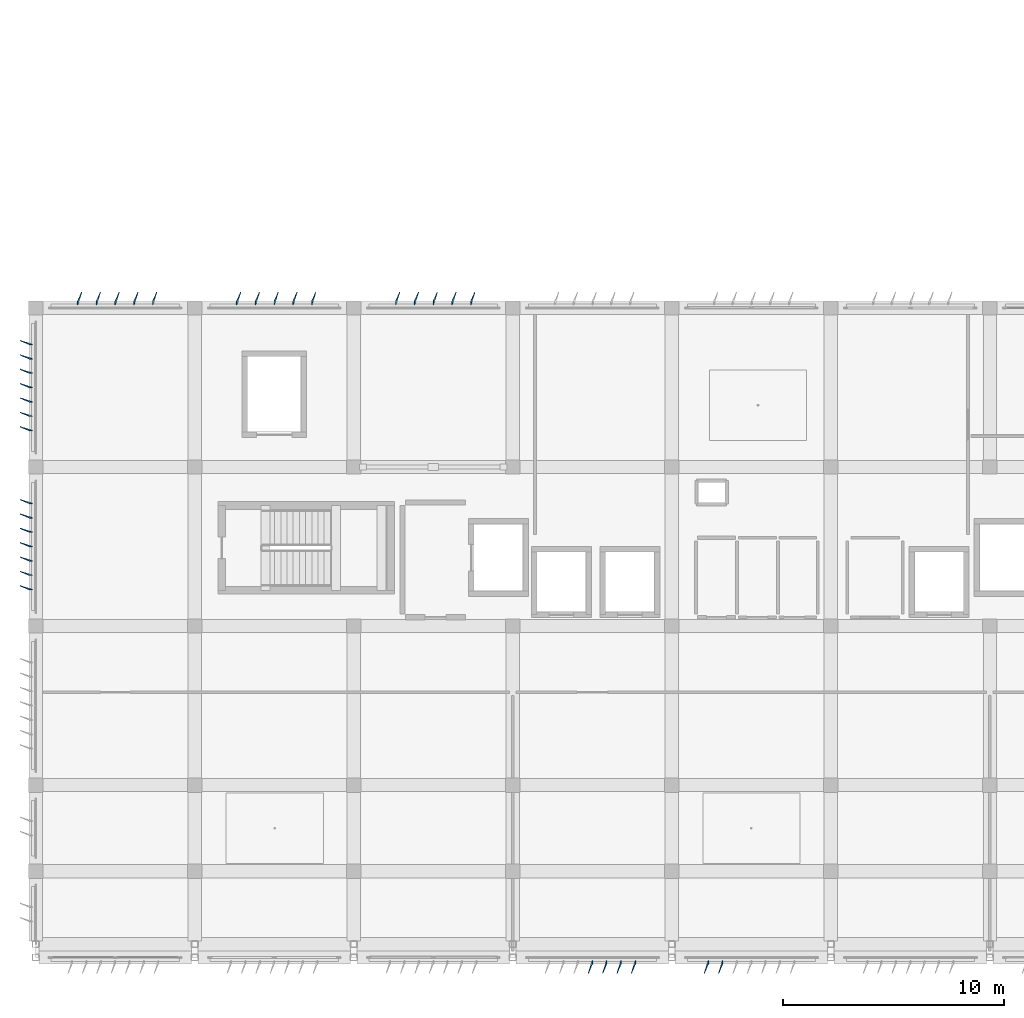
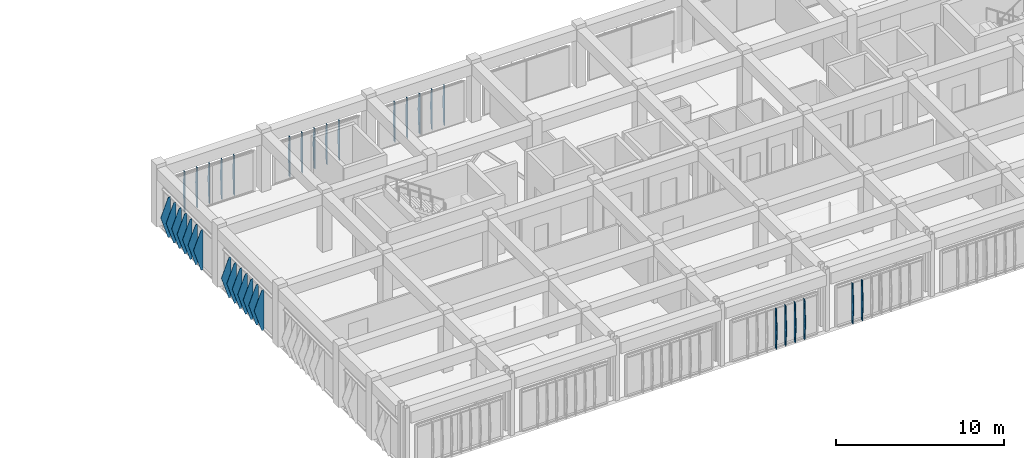
# One storey, part 51 of 56: 35 plates.
"""IFC4 building model written with IfcOpenShell, lengths in metres."""

from ifc_helpers import new_model, si_unit, direction, frame, origin, place, context, subcontext, project, spatial, polygons, material, layer, layer_set, type_object, element, save


model = new_model("IFC4")

# Units and contexts
model_context = context("Model", 3, precision=1e-05, world=origin(), true_north=direction((0.0, 1.0)))
body_context = subcontext(model_context, "Body", "Model", "MODEL_VIEW")
ifc_project = project(units=[si_unit("LENGTHUNIT", "METRE"), si_unit("AREAUNIT", "SQUARE_METRE"), si_unit("VOLUMEUNIT", "CUBIC_METRE"), si_unit("PLANEANGLEUNIT", "RADIAN"), si_unit("MASSUNIT", "GRAM", prefix="KILO")], contexts=[model_context])

# Site, building, storey
site_placement = place(None, origin())
site = spatial("IfcSite", under=ifc_project, at=site_placement, CompositionType="ELEMENT")
building_placement = place(site_placement, origin())
building = spatial("IfcBuilding", under=site, at=building_placement, Name="Kazehaya Institute of Natural Sciences", CompositionType="ELEMENT")
storey_placement = place(building_placement, frame((0.0, 0.0, 28.800048828125)))
storey = spatial("IfcBuildingStorey", under=building, at=storey_placement, Name="L06", CompositionType="ELEMENT", Elevation=28.800048828125)

# Plates
ifc_material = material(Name="Bronze-anodised aluminium alloy A6063S-T5", Category="aluminium")
ifc_layer_1 = layer(ifc_material, 0.02001953125, Name="Bronze-anodised aluminium alloy A6063S-T5", Category="aluminium")
ifc_layer_set_1 = layer_set([ifc_layer_1], Name="Bronze-anodised aluminium alloy A6063S-T5")
plate_type_1 = type_object("IfcPlateType", Name="FIN-DF-E1", PredefinedType="USERDEFINED", material=ifc_layer_set_1)
plate_1_placement = place(storey_placement, origin())
element("IfcPlate", 1, at=plate_1_placement, inside=storey, type_object=plate_type_1, Name="L06 folded diamond-pyramid shading fin FIN-L06-W-0516", ObjectType="SHADING_FIN", PredefinedType="USERDEFINED", context=body_context, shape_type="Tessellation", body=[
    polygons([(54.445068359375, 22.840087890625, 0.0400390625), (54.300048828125, 22.840087890625, 0.0400390625), (53.889892578125, 23.018798828125, 1.5), (54.300048828125, 22.840087890625, 2.9599609375), (54.445068359375, 22.840087890625, 2.9599609375), (54.445068359375, 22.860107421875, 0.0400390625), (54.300048828125, 22.860107421875, 0.0400390625), (53.889892578125, 23.038818359375, 1.5), (54.300048828125, 22.860107421875, 2.9599609375), (54.445068359375, 22.860107421875, 2.9599609375)], [[[1, 5, 4, 3, 2]], [[6, 7, 8, 9, 10]], [[1, 2, 7, 6]], [[2, 3, 8, 7]], [[3, 4, 9, 8]], [[4, 5, 10, 9]], [[5, 1, 6, 10]]], closed=True),
])
plate_2_placement = place(storey_placement, origin())
element("IfcPlate", 2, at=plate_2_placement, inside=storey, type_object=plate_type_1, Name="L06 folded diamond-pyramid shading fin FIN-L06-W-0517", ObjectType="SHADING_FIN", PredefinedType="USERDEFINED", context=body_context, shape_type="Tessellation", body=[
    polygons([(54.445068359375, 23.489990234375, 0.0400390625), (54.300048828125, 23.489990234375, 0.0400390625), (53.889892578125, 23.668701171875, 1.5), (54.300048828125, 23.489990234375, 2.9599609375), (54.445068359375, 23.489990234375, 2.9599609375), (54.445068359375, 23.510009765625, 0.0400390625), (54.300048828125, 23.510009765625, 0.0400390625), (53.889892578125, 23.688720703125, 1.5), (54.300048828125, 23.510009765625, 2.9599609375), (54.445068359375, 23.510009765625, 2.9599609375)], [[[1, 5, 4, 3, 2]], [[6, 7, 8, 9, 10]], [[1, 2, 7, 6]], [[2, 3, 8, 7]], [[3, 4, 9, 8]], [[4, 5, 10, 9]], [[5, 1, 6, 10]]], closed=True),
])
plate_3_placement = place(storey_placement, origin())
element("IfcPlate", 3, at=plate_3_placement, inside=storey, type_object=plate_type_1, Name="L06 folded diamond-pyramid shading fin FIN-L06-W-0518", ObjectType="SHADING_FIN", PredefinedType="USERDEFINED", context=body_context, shape_type="Tessellation", body=[
    polygons([(54.445068359375, 24.139892578125, 0.0400390625), (54.300048828125, 24.139892578125, 0.0400390625), (53.889892578125, 24.318603515625, 1.5), (54.300048828125, 24.139892578125, 2.9599609375), (54.445068359375, 24.139892578125, 2.9599609375), (54.445068359375, 24.159912109375, 0.0400390625), (54.300048828125, 24.159912109375, 0.0400390625), (53.889892578125, 24.338623046875, 1.5), (54.300048828125, 24.159912109375, 2.9599609375), (54.445068359375, 24.159912109375, 2.9599609375)], [[[1, 5, 4, 3, 2]], [[6, 7, 8, 9, 10]], [[1, 2, 7, 6]], [[2, 3, 8, 7]], [[3, 4, 9, 8]], [[4, 5, 10, 9]], [[5, 1, 6, 10]]], closed=True),
])
plate_4_placement = place(storey_placement, origin())
element("IfcPlate", 4, at=plate_4_placement, inside=storey, type_object=plate_type_1, Name="L06 folded diamond-pyramid shading fin FIN-L06-W-0519", ObjectType="SHADING_FIN", PredefinedType="USERDEFINED", context=body_context, shape_type="Tessellation", body=[
    polygons([(54.445068359375, 24.7900390625, 0.0400390625), (54.300048828125, 24.7900390625, 0.0400390625), (53.889892578125, 24.96875, 1.5), (54.300048828125, 24.7900390625, 2.9599609375), (54.445068359375, 24.7900390625, 2.9599609375), (54.445068359375, 24.81005859375, 0.0400390625), (54.300048828125, 24.81005859375, 0.0400390625), (53.889892578125, 24.98876953125, 1.5), (54.300048828125, 24.81005859375, 2.9599609375), (54.445068359375, 24.81005859375, 2.9599609375)], [[[1, 5, 4, 3, 2]], [[6, 7, 8, 9, 10]], [[1, 2, 7, 6]], [[2, 3, 8, 7]], [[3, 4, 9, 8]], [[4, 5, 10, 9]], [[5, 1, 6, 10]]], closed=True),
])
plate_5_placement = place(storey_placement, origin())
element("IfcPlate", 5, at=plate_5_placement, inside=storey, type_object=plate_type_1, Name="L06 folded diamond-pyramid shading fin FIN-L06-W-0520", ObjectType="SHADING_FIN", PredefinedType="USERDEFINED", context=body_context, shape_type="Tessellation", body=[
    polygons([(54.445068359375, 25.43994140625, 0.0400390625), (54.300048828125, 25.43994140625, 0.0400390625), (53.889892578125, 25.61865234375, 1.5), (54.300048828125, 25.43994140625, 2.9599609375), (54.445068359375, 25.43994140625, 2.9599609375), (54.445068359375, 25.4599609375, 0.0400390625), (54.300048828125, 25.4599609375, 0.0400390625), (53.889892578125, 25.638671875, 1.5), (54.300048828125, 25.4599609375, 2.9599609375), (54.445068359375, 25.4599609375, 2.9599609375)], [[[1, 5, 4, 3, 2]], [[6, 7, 8, 9, 10]], [[1, 2, 7, 6]], [[2, 3, 8, 7]], [[3, 4, 9, 8]], [[4, 5, 10, 9]], [[5, 1, 6, 10]]], closed=True),
])
plate_6_placement = place(storey_placement, origin())
element("IfcPlate", 6, at=plate_6_placement, inside=storey, type_object=plate_type_1, Name="L06 folded diamond-pyramid shading fin FIN-L06-W-0521", ObjectType="SHADING_FIN", PredefinedType="USERDEFINED", context=body_context, shape_type="Tessellation", body=[
    polygons([(54.445068359375, 26.090087890625, 0.0400390625), (54.300048828125, 26.090087890625, 0.0400390625), (53.889892578125, 26.268798828125, 1.5), (54.300048828125, 26.090087890625, 2.9599609375), (54.445068359375, 26.090087890625, 2.9599609375), (54.445068359375, 26.110107421875, 0.0400390625), (54.300048828125, 26.110107421875, 0.0400390625), (53.889892578125, 26.288818359375, 1.5), (54.300048828125, 26.110107421875, 2.9599609375), (54.445068359375, 26.110107421875, 2.9599609375)], [[[1, 5, 4, 3, 2]], [[6, 7, 8, 9, 10]], [[1, 2, 7, 6]], [[2, 3, 8, 7]], [[3, 4, 9, 8]], [[4, 5, 10, 9]], [[5, 1, 6, 10]]], closed=True),
])
plate_7_placement = place(storey_placement, origin())
element("IfcPlate", 7, at=plate_7_placement, inside=storey, type_object=plate_type_1, Name="L06 folded diamond-pyramid shading fin FIN-L06-W-0522", ObjectType="SHADING_FIN", PredefinedType="USERDEFINED", context=body_context, shape_type="Tessellation", body=[
    polygons([(54.445068359375, 26.739990234375, 0.0400390625), (54.300048828125, 26.739990234375, 0.0400390625), (53.889892578125, 26.918701171875, 1.5), (54.300048828125, 26.739990234375, 2.9599609375), (54.445068359375, 26.739990234375, 2.9599609375), (54.445068359375, 26.760009765625, 0.0400390625), (54.300048828125, 26.760009765625, 0.0400390625), (53.889892578125, 26.938720703125, 1.5), (54.300048828125, 26.760009765625, 2.9599609375), (54.445068359375, 26.760009765625, 2.9599609375)], [[[1, 5, 4, 3, 2]], [[6, 7, 8, 9, 10]], [[1, 2, 7, 6]], [[2, 3, 8, 7]], [[3, 4, 9, 8]], [[4, 5, 10, 9]], [[5, 1, 6, 10]]], closed=True),
])
plate_8_placement = place(storey_placement, origin())
element("IfcPlate", 8, at=plate_8_placement, inside=storey, type_object=plate_type_1, Name="L06 folded diamond-pyramid shading fin FIN-L06-W-0530", ObjectType="SHADING_FIN", PredefinedType="USERDEFINED", context=body_context, shape_type="Tessellation", body=[
    polygons([(54.445068359375, 30.0400390625, 0.0400390625), (54.300048828125, 30.0400390625, 0.0400390625), (53.889892578125, 30.21875, 1.5), (54.300048828125, 30.0400390625, 2.9599609375), (54.445068359375, 30.0400390625, 2.9599609375), (54.445068359375, 30.06005859375, 0.0400390625), (54.300048828125, 30.06005859375, 0.0400390625), (53.889892578125, 30.23876953125, 1.5), (54.300048828125, 30.06005859375, 2.9599609375), (54.445068359375, 30.06005859375, 2.9599609375)], [[[1, 5, 4, 3, 2]], [[6, 7, 8, 9, 10]], [[1, 2, 7, 6]], [[2, 3, 8, 7]], [[3, 4, 9, 8]], [[4, 5, 10, 9]], [[5, 1, 6, 10]]], closed=True),
])
plate_9_placement = place(storey_placement, origin())
element("IfcPlate", 9, at=plate_9_placement, inside=storey, type_object=plate_type_1, Name="L06 folded diamond-pyramid shading fin FIN-L06-W-0531", ObjectType="SHADING_FIN", PredefinedType="USERDEFINED", context=body_context, shape_type="Tessellation", body=[
    polygons([(54.445068359375, 30.68994140625, 0.0400390625), (54.300048828125, 30.68994140625, 0.0400390625), (53.889892578125, 30.86865234375, 1.5), (54.300048828125, 30.68994140625, 2.9599609375), (54.445068359375, 30.68994140625, 2.9599609375), (54.445068359375, 30.7099609375, 0.0400390625), (54.300048828125, 30.7099609375, 0.0400390625), (53.889892578125, 30.888671875, 1.5), (54.300048828125, 30.7099609375, 2.9599609375), (54.445068359375, 30.7099609375, 2.9599609375)], [[[1, 5, 4, 3, 2]], [[6, 7, 8, 9, 10]], [[1, 2, 7, 6]], [[2, 3, 8, 7]], [[3, 4, 9, 8]], [[4, 5, 10, 9]], [[5, 1, 6, 10]]], closed=True),
])
plate_10_placement = place(storey_placement, origin())
element("IfcPlate", 10, at=plate_10_placement, inside=storey, type_object=plate_type_1, Name="L06 folded diamond-pyramid shading fin FIN-L06-W-0532", ObjectType="SHADING_FIN", PredefinedType="USERDEFINED", context=body_context, shape_type="Tessellation", body=[
    polygons([(54.445068359375, 31.340087890625, 0.0400390625), (54.300048828125, 31.340087890625, 0.0400390625), (53.889892578125, 31.518798828125, 1.5), (54.300048828125, 31.340087890625, 2.9599609375), (54.445068359375, 31.340087890625, 2.9599609375), (54.445068359375, 31.360107421875, 0.0400390625), (54.300048828125, 31.360107421875, 0.0400390625), (53.889892578125, 31.538818359375, 1.5), (54.300048828125, 31.360107421875, 2.9599609375), (54.445068359375, 31.360107421875, 2.9599609375)], [[[1, 5, 4, 3, 2]], [[6, 7, 8, 9, 10]], [[1, 2, 7, 6]], [[2, 3, 8, 7]], [[3, 4, 9, 8]], [[4, 5, 10, 9]], [[5, 1, 6, 10]]], closed=True),
])
plate_11_placement = place(storey_placement, origin())
element("IfcPlate", 11, at=plate_11_placement, inside=storey, type_object=plate_type_1, Name="L06 folded diamond-pyramid shading fin FIN-L06-W-0533", ObjectType="SHADING_FIN", PredefinedType="USERDEFINED", context=body_context, shape_type="Tessellation", body=[
    polygons([(54.445068359375, 31.989990234375, 0.0400390625), (54.300048828125, 31.989990234375, 0.0400390625), (53.889892578125, 32.168701171875, 1.5), (54.300048828125, 31.989990234375, 2.9599609375), (54.445068359375, 31.989990234375, 2.9599609375), (54.445068359375, 32.010009765625, 0.0400390625), (54.300048828125, 32.010009765625, 0.0400390625), (53.889892578125, 32.188720703125, 1.5), (54.300048828125, 32.010009765625, 2.9599609375), (54.445068359375, 32.010009765625, 2.9599609375)], [[[1, 5, 4, 3, 2]], [[6, 7, 8, 9, 10]], [[1, 2, 7, 6]], [[2, 3, 8, 7]], [[3, 4, 9, 8]], [[4, 5, 10, 9]], [[5, 1, 6, 10]]], closed=True),
])
plate_12_placement = place(storey_placement, origin())
element("IfcPlate", 12, at=plate_12_placement, inside=storey, type_object=plate_type_1, Name="L06 folded diamond-pyramid shading fin FIN-L06-W-0534", ObjectType="SHADING_FIN", PredefinedType="USERDEFINED", context=body_context, shape_type="Tessellation", body=[
    polygons([(54.445068359375, 32.639892578125, 0.0400390625), (54.300048828125, 32.639892578125, 0.0400390625), (53.889892578125, 32.818603515625, 1.5), (54.300048828125, 32.639892578125, 2.9599609375), (54.445068359375, 32.639892578125, 2.9599609375), (54.445068359375, 32.659912109375, 0.0400390625), (54.300048828125, 32.659912109375, 0.0400390625), (53.889892578125, 32.838623046875, 1.5), (54.300048828125, 32.659912109375, 2.9599609375), (54.445068359375, 32.659912109375, 2.9599609375)], [[[1, 5, 4, 3, 2]], [[6, 7, 8, 9, 10]], [[1, 2, 7, 6]], [[2, 3, 8, 7]], [[3, 4, 9, 8]], [[4, 5, 10, 9]], [[5, 1, 6, 10]]], closed=True),
])
plate_13_placement = place(storey_placement, origin())
element("IfcPlate", 13, at=plate_13_placement, inside=storey, type_object=plate_type_1, Name="L06 folded diamond-pyramid shading fin FIN-L06-W-0535", ObjectType="SHADING_FIN", PredefinedType="USERDEFINED", context=body_context, shape_type="Tessellation", body=[
    polygons([(54.445068359375, 33.2900390625, 0.0400390625), (54.300048828125, 33.2900390625, 0.0400390625), (53.889892578125, 33.46875, 1.5), (54.300048828125, 33.2900390625, 2.9599609375), (54.445068359375, 33.2900390625, 2.9599609375), (54.445068359375, 33.31005859375, 0.0400390625), (54.300048828125, 33.31005859375, 0.0400390625), (53.889892578125, 33.48876953125, 1.5), (54.300048828125, 33.31005859375, 2.9599609375), (54.445068359375, 33.31005859375, 2.9599609375)], [[[1, 5, 4, 3, 2]], [[6, 7, 8, 9, 10]], [[1, 2, 7, 6]], [[2, 3, 8, 7]], [[3, 4, 9, 8]], [[4, 5, 10, 9]], [[5, 1, 6, 10]]], closed=True),
])
plate_14_placement = place(storey_placement, origin())
element("IfcPlate", 14, at=plate_14_placement, inside=storey, type_object=plate_type_1, Name="L06 folded diamond-pyramid shading fin FIN-L06-W-0536", ObjectType="SHADING_FIN", PredefinedType="USERDEFINED", context=body_context, shape_type="Tessellation", body=[
    polygons([(54.445068359375, 33.93994140625, 0.0400390625), (54.300048828125, 33.93994140625, 0.0400390625), (53.889892578125, 34.11865234375, 1.5), (54.300048828125, 33.93994140625, 2.9599609375), (54.445068359375, 33.93994140625, 2.9599609375), (54.445068359375, 33.9599609375, 0.0400390625), (54.300048828125, 33.9599609375, 0.0400390625), (53.889892578125, 34.138671875, 1.5), (54.300048828125, 33.9599609375, 2.9599609375), (54.445068359375, 33.9599609375, 2.9599609375)], [[[1, 5, 4, 3, 2]], [[6, 7, 8, 9, 10]], [[1, 2, 7, 6]], [[2, 3, 8, 7]], [[3, 4, 9, 8]], [[4, 5, 10, 9]], [[5, 1, 6, 10]]], closed=True),
])
ifc_layer_2 = layer(ifc_material, 0.02001953125, Name="Bronze-anodised aluminium alloy A6063S-T5", Category="aluminium")
ifc_layer_set_2 = layer_set([ifc_layer_2], Name="Bronze-anodised aluminium alloy A6063S-T5")
plate_type_2 = type_object("IfcPlateType", Name="FIN-DF-N1", PredefinedType="USERDEFINED", material=ifc_layer_set_2)
plate_15_placement = place(storey_placement, origin())
element("IfcPlate", 15, at=plate_15_placement, inside=storey, type_object=plate_type_2, Name="L06 folded diamond-pyramid shading fin FIN-L06-N-0449", ObjectType="SHADING_FIN", PredefinedType="USERDEFINED", context=body_context, shape_type="Tessellation", body=[
    polygons([(56.489990234375, 35.7548828125, 0.0400390625), (56.489990234375, 35.89990234375, 0.0400390625), (56.668701171875, 36.31005859375, 1.5), (56.489990234375, 35.89990234375, 2.9599609375), (56.489990234375, 35.7548828125, 2.9599609375), (56.510009765625, 35.7548828125, 0.0400390625), (56.510009765625, 35.89990234375, 0.0400390625), (56.688720703125, 36.31005859375, 1.5), (56.510009765625, 35.89990234375, 2.9599609375), (56.510009765625, 35.7548828125, 2.9599609375)], [[[1, 5, 4, 3, 2]], [[6, 7, 8, 9, 10]], [[1, 2, 7, 6]], [[2, 3, 8, 7]], [[3, 4, 9, 8]], [[4, 5, 10, 9]], [[5, 1, 6, 10]]], closed=True),
])
plate_16_placement = place(storey_placement, origin())
element("IfcPlate", 16, at=plate_16_placement, inside=storey, type_object=plate_type_2, Name="L06 folded diamond-pyramid shading fin FIN-L06-N-0450", ObjectType="SHADING_FIN", PredefinedType="USERDEFINED", context=body_context, shape_type="Tessellation", body=[
    polygons([(57.340087890625, 35.7548828125, 0.0400390625), (57.340087890625, 35.89990234375, 0.0400390625), (57.518798828125, 36.31005859375, 1.5), (57.340087890625, 35.89990234375, 2.9599609375), (57.340087890625, 35.7548828125, 2.9599609375), (57.360107421875, 35.7548828125, 0.0400390625), (57.360107421875, 35.89990234375, 0.0400390625), (57.538818359375, 36.31005859375, 1.5), (57.360107421875, 35.89990234375, 2.9599609375), (57.360107421875, 35.7548828125, 2.9599609375)], [[[1, 5, 4, 3, 2]], [[6, 7, 8, 9, 10]], [[1, 2, 7, 6]], [[2, 3, 8, 7]], [[3, 4, 9, 8]], [[4, 5, 10, 9]], [[5, 1, 6, 10]]], closed=True),
])
plate_17_placement = place(storey_placement, origin())
element("IfcPlate", 17, at=plate_17_placement, inside=storey, type_object=plate_type_2, Name="L06 folded diamond-pyramid shading fin FIN-L06-N-0451", ObjectType="SHADING_FIN", PredefinedType="USERDEFINED", context=body_context, shape_type="Tessellation", body=[
    polygons([(58.18994140625, 35.7548828125, 0.0400390625), (58.18994140625, 35.89990234375, 0.0400390625), (58.36865234375, 36.31005859375, 1.5), (58.18994140625, 35.89990234375, 2.9599609375), (58.18994140625, 35.7548828125, 2.9599609375), (58.2099609375, 35.7548828125, 0.0400390625), (58.2099609375, 35.89990234375, 0.0400390625), (58.388671875, 36.31005859375, 1.5), (58.2099609375, 35.89990234375, 2.9599609375), (58.2099609375, 35.7548828125, 2.9599609375)], [[[1, 5, 4, 3, 2]], [[6, 7, 8, 9, 10]], [[1, 2, 7, 6]], [[2, 3, 8, 7]], [[3, 4, 9, 8]], [[4, 5, 10, 9]], [[5, 1, 6, 10]]], closed=True),
])
plate_18_placement = place(storey_placement, origin())
element("IfcPlate", 18, at=plate_18_placement, inside=storey, type_object=plate_type_2, Name="L06 folded diamond-pyramid shading fin FIN-L06-N-0452", ObjectType="SHADING_FIN", PredefinedType="USERDEFINED", context=body_context, shape_type="Tessellation", body=[
    polygons([(59.0400390625, 35.7548828125, 0.0400390625), (59.0400390625, 35.89990234375, 0.0400390625), (59.21875, 36.31005859375, 1.5), (59.0400390625, 35.89990234375, 2.9599609375), (59.0400390625, 35.7548828125, 2.9599609375), (59.06005859375, 35.7548828125, 0.0400390625), (59.06005859375, 35.89990234375, 0.0400390625), (59.23876953125, 36.31005859375, 1.5), (59.06005859375, 35.89990234375, 2.9599609375), (59.06005859375, 35.7548828125, 2.9599609375)], [[[1, 5, 4, 3, 2]], [[6, 7, 8, 9, 10]], [[1, 2, 7, 6]], [[2, 3, 8, 7]], [[3, 4, 9, 8]], [[4, 5, 10, 9]], [[5, 1, 6, 10]]], closed=True),
])
plate_19_placement = place(storey_placement, origin())
element("IfcPlate", 19, at=plate_19_placement, inside=storey, type_object=plate_type_2, Name="L06 folded diamond-pyramid shading fin FIN-L06-N-0453", ObjectType="SHADING_FIN", PredefinedType="USERDEFINED", context=body_context, shape_type="Tessellation", body=[
    polygons([(59.889892578125, 35.7548828125, 0.0400390625), (59.889892578125, 35.89990234375, 0.0400390625), (60.068603515625, 36.31005859375, 1.5), (59.889892578125, 35.89990234375, 2.9599609375), (59.889892578125, 35.7548828125, 2.9599609375), (59.909912109375, 35.7548828125, 0.0400390625), (59.909912109375, 35.89990234375, 0.0400390625), (60.088623046875, 36.31005859375, 1.5), (59.909912109375, 35.89990234375, 2.9599609375), (59.909912109375, 35.7548828125, 2.9599609375)], [[[1, 5, 4, 3, 2]], [[6, 7, 8, 9, 10]], [[1, 2, 7, 6]], [[2, 3, 8, 7]], [[3, 4, 9, 8]], [[4, 5, 10, 9]], [[5, 1, 6, 10]]], closed=True),
])
plate_20_placement = place(storey_placement, origin())
element("IfcPlate", 20, at=plate_20_placement, inside=storey, type_object=plate_type_2, Name="L06 folded diamond-pyramid shading fin FIN-L06-N-0454", ObjectType="SHADING_FIN", PredefinedType="USERDEFINED", context=body_context, shape_type="Tessellation", body=[
    polygons([(63.68994140625, 35.7548828125, 0.0400390625), (63.68994140625, 35.89990234375, 0.0400390625), (63.86865234375, 36.31005859375, 1.5), (63.68994140625, 35.89990234375, 2.9599609375), (63.68994140625, 35.7548828125, 2.9599609375), (63.7099609375, 35.7548828125, 0.0400390625), (63.7099609375, 35.89990234375, 0.0400390625), (63.888671875, 36.31005859375, 1.5), (63.7099609375, 35.89990234375, 2.9599609375), (63.7099609375, 35.7548828125, 2.9599609375)], [[[1, 5, 4, 3, 2]], [[6, 7, 8, 9, 10]], [[1, 2, 7, 6]], [[2, 3, 8, 7]], [[3, 4, 9, 8]], [[4, 5, 10, 9]], [[5, 1, 6, 10]]], closed=True),
])
plate_21_placement = place(storey_placement, origin())
element("IfcPlate", 21, at=plate_21_placement, inside=storey, type_object=plate_type_2, Name="L06 folded diamond-pyramid shading fin FIN-L06-N-0455", ObjectType="SHADING_FIN", PredefinedType="USERDEFINED", context=body_context, shape_type="Tessellation", body=[
    polygons([(64.5400390625, 35.7548828125, 0.0400390625), (64.5400390625, 35.89990234375, 0.0400390625), (64.71875, 36.31005859375, 1.5), (64.5400390625, 35.89990234375, 2.9599609375), (64.5400390625, 35.7548828125, 2.9599609375), (64.56005859375, 35.7548828125, 0.0400390625), (64.56005859375, 35.89990234375, 0.0400390625), (64.73876953125, 36.31005859375, 1.5), (64.56005859375, 35.89990234375, 2.9599609375), (64.56005859375, 35.7548828125, 2.9599609375)], [[[1, 5, 4, 3, 2]], [[6, 7, 8, 9, 10]], [[1, 2, 7, 6]], [[2, 3, 8, 7]], [[3, 4, 9, 8]], [[4, 5, 10, 9]], [[5, 1, 6, 10]]], closed=True),
])
plate_22_placement = place(storey_placement, origin())
element("IfcPlate", 22, at=plate_22_placement, inside=storey, type_object=plate_type_2, Name="L06 folded diamond-pyramid shading fin FIN-L06-N-0456", ObjectType="SHADING_FIN", PredefinedType="USERDEFINED", context=body_context, shape_type="Tessellation", body=[
    polygons([(65.389892578125, 35.7548828125, 0.0400390625), (65.389892578125, 35.89990234375, 0.0400390625), (65.568603515625, 36.31005859375, 1.5), (65.389892578125, 35.89990234375, 2.9599609375), (65.389892578125, 35.7548828125, 2.9599609375), (65.409912109375, 35.7548828125, 0.0400390625), (65.409912109375, 35.89990234375, 0.0400390625), (65.588623046875, 36.31005859375, 1.5), (65.409912109375, 35.89990234375, 2.9599609375), (65.409912109375, 35.7548828125, 2.9599609375)], [[[1, 5, 4, 3, 2]], [[6, 7, 8, 9, 10]], [[1, 2, 7, 6]], [[2, 3, 8, 7]], [[3, 4, 9, 8]], [[4, 5, 10, 9]], [[5, 1, 6, 10]]], closed=True),
])
plate_23_placement = place(storey_placement, origin())
element("IfcPlate", 23, at=plate_23_placement, inside=storey, type_object=plate_type_2, Name="L06 folded diamond-pyramid shading fin FIN-L06-N-0457", ObjectType="SHADING_FIN", PredefinedType="USERDEFINED", context=body_context, shape_type="Tessellation", body=[
    polygons([(66.239990234375, 35.7548828125, 0.0400390625), (66.239990234375, 35.89990234375, 0.0400390625), (66.418701171875, 36.31005859375, 1.5), (66.239990234375, 35.89990234375, 2.9599609375), (66.239990234375, 35.7548828125, 2.9599609375), (66.260009765625, 35.7548828125, 0.0400390625), (66.260009765625, 35.89990234375, 0.0400390625), (66.438720703125, 36.31005859375, 1.5), (66.260009765625, 35.89990234375, 2.9599609375), (66.260009765625, 35.7548828125, 2.9599609375)], [[[1, 5, 4, 3, 2]], [[6, 7, 8, 9, 10]], [[1, 2, 7, 6]], [[2, 3, 8, 7]], [[3, 4, 9, 8]], [[4, 5, 10, 9]], [[5, 1, 6, 10]]], closed=True),
])
plate_24_placement = place(storey_placement, origin())
element("IfcPlate", 24, at=plate_24_placement, inside=storey, type_object=plate_type_2, Name="L06 folded diamond-pyramid shading fin FIN-L06-N-0458", ObjectType="SHADING_FIN", PredefinedType="USERDEFINED", context=body_context, shape_type="Tessellation", body=[
    polygons([(67.090087890625, 35.7548828125, 0.0400390625), (67.090087890625, 35.89990234375, 0.0400390625), (67.268798828125, 36.31005859375, 1.5), (67.090087890625, 35.89990234375, 2.9599609375), (67.090087890625, 35.7548828125, 2.9599609375), (67.110107421875, 35.7548828125, 0.0400390625), (67.110107421875, 35.89990234375, 0.0400390625), (67.288818359375, 36.31005859375, 1.5), (67.110107421875, 35.89990234375, 2.9599609375), (67.110107421875, 35.7548828125, 2.9599609375)], [[[1, 5, 4, 3, 2]], [[6, 7, 8, 9, 10]], [[1, 2, 7, 6]], [[2, 3, 8, 7]], [[3, 4, 9, 8]], [[4, 5, 10, 9]], [[5, 1, 6, 10]]], closed=True),
])
plate_25_placement = place(storey_placement, origin())
element("IfcPlate", 25, at=plate_25_placement, inside=storey, type_object=plate_type_2, Name="L06 folded diamond-pyramid shading fin FIN-L06-N-0459", ObjectType="SHADING_FIN", PredefinedType="USERDEFINED", context=body_context, shape_type="Tessellation", body=[
    polygons([(70.889892578125, 35.7548828125, 0.0400390625), (70.889892578125, 35.89990234375, 0.0400390625), (71.068603515625, 36.31005859375, 1.5), (70.889892578125, 35.89990234375, 2.9599609375), (70.889892578125, 35.7548828125, 2.9599609375), (70.909912109375, 35.7548828125, 0.0400390625), (70.909912109375, 35.89990234375, 0.0400390625), (71.088623046875, 36.31005859375, 1.5), (70.909912109375, 35.89990234375, 2.9599609375), (70.909912109375, 35.7548828125, 2.9599609375)], [[[1, 5, 4, 3, 2]], [[6, 7, 8, 9, 10]], [[1, 2, 7, 6]], [[2, 3, 8, 7]], [[3, 4, 9, 8]], [[4, 5, 10, 9]], [[5, 1, 6, 10]]], closed=True),
])
plate_26_placement = place(storey_placement, origin())
element("IfcPlate", 26, at=plate_26_placement, inside=storey, type_object=plate_type_2, Name="L06 folded diamond-pyramid shading fin FIN-L06-N-0460", ObjectType="SHADING_FIN", PredefinedType="USERDEFINED", context=body_context, shape_type="Tessellation", body=[
    polygons([(71.739990234375, 35.7548828125, 0.0400390625), (71.739990234375, 35.89990234375, 0.0400390625), (71.918701171875, 36.31005859375, 1.5), (71.739990234375, 35.89990234375, 2.9599609375), (71.739990234375, 35.7548828125, 2.9599609375), (71.760009765625, 35.7548828125, 0.0400390625), (71.760009765625, 35.89990234375, 0.0400390625), (71.938720703125, 36.31005859375, 1.5), (71.760009765625, 35.89990234375, 2.9599609375), (71.760009765625, 35.7548828125, 2.9599609375)], [[[1, 5, 4, 3, 2]], [[6, 7, 8, 9, 10]], [[1, 2, 7, 6]], [[2, 3, 8, 7]], [[3, 4, 9, 8]], [[4, 5, 10, 9]], [[5, 1, 6, 10]]], closed=True),
])
plate_27_placement = place(storey_placement, origin())
element("IfcPlate", 27, at=plate_27_placement, inside=storey, type_object=plate_type_2, Name="L06 folded diamond-pyramid shading fin FIN-L06-N-0461", ObjectType="SHADING_FIN", PredefinedType="USERDEFINED", context=body_context, shape_type="Tessellation", body=[
    polygons([(72.590087890625, 35.7548828125, 0.0400390625), (72.590087890625, 35.89990234375, 0.0400390625), (72.768798828125, 36.31005859375, 1.5), (72.590087890625, 35.89990234375, 2.9599609375), (72.590087890625, 35.7548828125, 2.9599609375), (72.610107421875, 35.7548828125, 0.0400390625), (72.610107421875, 35.89990234375, 0.0400390625), (72.788818359375, 36.31005859375, 1.5), (72.610107421875, 35.89990234375, 2.9599609375), (72.610107421875, 35.7548828125, 2.9599609375)], [[[1, 5, 4, 3, 2]], [[6, 7, 8, 9, 10]], [[1, 2, 7, 6]], [[2, 3, 8, 7]], [[3, 4, 9, 8]], [[4, 5, 10, 9]], [[5, 1, 6, 10]]], closed=True),
])
plate_28_placement = place(storey_placement, origin())
element("IfcPlate", 28, at=plate_28_placement, inside=storey, type_object=plate_type_2, Name="L06 folded diamond-pyramid shading fin FIN-L06-N-0462", ObjectType="SHADING_FIN", PredefinedType="USERDEFINED", context=body_context, shape_type="Tessellation", body=[
    polygons([(73.43994140625, 35.7548828125, 0.0400390625), (73.43994140625, 35.89990234375, 0.0400390625), (73.61865234375, 36.31005859375, 1.5), (73.43994140625, 35.89990234375, 2.9599609375), (73.43994140625, 35.7548828125, 2.9599609375), (73.4599609375, 35.7548828125, 0.0400390625), (73.4599609375, 35.89990234375, 0.0400390625), (73.638671875, 36.31005859375, 1.5), (73.4599609375, 35.89990234375, 2.9599609375), (73.4599609375, 35.7548828125, 2.9599609375)], [[[1, 5, 4, 3, 2]], [[6, 7, 8, 9, 10]], [[1, 2, 7, 6]], [[2, 3, 8, 7]], [[3, 4, 9, 8]], [[4, 5, 10, 9]], [[5, 1, 6, 10]]], closed=True),
])
plate_29_placement = place(storey_placement, origin())
element("IfcPlate", 29, at=plate_29_placement, inside=storey, type_object=plate_type_2, Name="L06 folded diamond-pyramid shading fin FIN-L06-N-0463", ObjectType="SHADING_FIN", PredefinedType="USERDEFINED", context=body_context, shape_type="Tessellation", body=[
    polygons([(74.2900390625, 35.7548828125, 0.0400390625), (74.2900390625, 35.89990234375, 0.0400390625), (74.46875, 36.31005859375, 1.5), (74.2900390625, 35.89990234375, 2.9599609375), (74.2900390625, 35.7548828125, 2.9599609375), (74.31005859375, 35.7548828125, 0.0400390625), (74.31005859375, 35.89990234375, 0.0400390625), (74.48876953125, 36.31005859375, 1.5), (74.31005859375, 35.89990234375, 2.9599609375), (74.31005859375, 35.7548828125, 2.9599609375)], [[[1, 5, 4, 3, 2]], [[6, 7, 8, 9, 10]], [[1, 2, 7, 6]], [[2, 3, 8, 7]], [[3, 4, 9, 8]], [[4, 5, 10, 9]], [[5, 1, 6, 10]]], closed=True),
])
ifc_layer_3 = layer(ifc_material, 0.02001953125, Name="Bronze-anodised aluminium alloy A6063S-T5", Category="aluminium")
ifc_layer_set_3 = layer_set([ifc_layer_3], Name="Bronze-anodised aluminium alloy A6063S-T5")
plate_type_3 = type_object("IfcPlateType", Name="FIN-DF-S1", PredefinedType="USERDEFINED", material=ifc_layer_set_3)
plate_30_placement = place(storey_placement, origin())
element("IfcPlate", 30, at=plate_30_placement, inside=storey, type_object=plate_type_3, Name="L06 folded diamond-pyramid shading fin FIN-L06-S-0419", ObjectType="SHADING_FIN", PredefinedType="USERDEFINED", context=body_context, shape_type="Tessellation", body=[
    polygons([(85.7099609375, 6.044921875, 0.0400390625), (85.7099609375, 5.89990234375, 0.0400390625), (85.53125, 5.489990234375, 1.5), (85.7099609375, 5.89990234375, 2.9599609375), (85.7099609375, 6.044921875, 2.9599609375), (85.68994140625, 6.044921875, 0.0400390625), (85.68994140625, 5.89990234375, 0.0400390625), (85.51123046875, 5.489990234375, 1.5), (85.68994140625, 5.89990234375, 2.9599609375), (85.68994140625, 6.044921875, 2.9599609375)], [[[1, 5, 4, 3, 2]], [[6, 7, 8, 9, 10]], [[1, 2, 7, 6]], [[2, 3, 8, 7]], [[3, 4, 9, 8]], [[4, 5, 10, 9]], [[5, 1, 6, 10]]], closed=True),
])
plate_31_placement = place(storey_placement, origin())
element("IfcPlate", 31, at=plate_31_placement, inside=storey, type_object=plate_type_3, Name="L06 folded diamond-pyramid shading fin FIN-L06-S-0420", ObjectType="SHADING_FIN", PredefinedType="USERDEFINED", context=body_context, shape_type="Tessellation", body=[
    polygons([(85.06005859375, 6.044921875, 0.0400390625), (85.06005859375, 5.89990234375, 0.0400390625), (84.88134765625, 5.489990234375, 1.5), (85.06005859375, 5.89990234375, 2.9599609375), (85.06005859375, 6.044921875, 2.9599609375), (85.0400390625, 6.044921875, 0.0400390625), (85.0400390625, 5.89990234375, 0.0400390625), (84.861328125, 5.489990234375, 1.5), (85.0400390625, 5.89990234375, 2.9599609375), (85.0400390625, 6.044921875, 2.9599609375)], [[[1, 5, 4, 3, 2]], [[6, 7, 8, 9, 10]], [[1, 2, 7, 6]], [[2, 3, 8, 7]], [[3, 4, 9, 8]], [[4, 5, 10, 9]], [[5, 1, 6, 10]]], closed=True),
])
plate_32_placement = place(storey_placement, origin())
element("IfcPlate", 32, at=plate_32_placement, inside=storey, type_object=plate_type_3, Name="L06 folded diamond-pyramid shading fin FIN-L06-S-0421", ObjectType="SHADING_FIN", PredefinedType="USERDEFINED", context=body_context, shape_type="Tessellation", body=[
    polygons([(81.760009765625, 6.044921875, 0.0400390625), (81.760009765625, 5.89990234375, 0.0400390625), (81.581298828125, 5.489990234375, 1.5), (81.760009765625, 5.89990234375, 2.9599609375), (81.760009765625, 6.044921875, 2.9599609375), (81.739990234375, 6.044921875, 0.0400390625), (81.739990234375, 5.89990234375, 0.0400390625), (81.561279296875, 5.489990234375, 1.5), (81.739990234375, 5.89990234375, 2.9599609375), (81.739990234375, 6.044921875, 2.9599609375)], [[[1, 5, 4, 3, 2]], [[6, 7, 8, 9, 10]], [[1, 2, 7, 6]], [[2, 3, 8, 7]], [[3, 4, 9, 8]], [[4, 5, 10, 9]], [[5, 1, 6, 10]]], closed=True),
])
plate_33_placement = place(storey_placement, origin())
element("IfcPlate", 33, at=plate_33_placement, inside=storey, type_object=plate_type_3, Name="L06 folded diamond-pyramid shading fin FIN-L06-S-0422", ObjectType="SHADING_FIN", PredefinedType="USERDEFINED", context=body_context, shape_type="Tessellation", body=[
    polygons([(81.110107421875, 6.044921875, 0.0400390625), (81.110107421875, 5.89990234375, 0.0400390625), (80.931396484375, 5.489990234375, 1.5), (81.110107421875, 5.89990234375, 2.9599609375), (81.110107421875, 6.044921875, 2.9599609375), (81.090087890625, 6.044921875, 0.0400390625), (81.090087890625, 5.89990234375, 0.0400390625), (80.911376953125, 5.489990234375, 1.5), (81.090087890625, 5.89990234375, 2.9599609375), (81.090087890625, 6.044921875, 2.9599609375)], [[[1, 5, 4, 3, 2]], [[6, 7, 8, 9, 10]], [[1, 2, 7, 6]], [[2, 3, 8, 7]], [[3, 4, 9, 8]], [[4, 5, 10, 9]], [[5, 1, 6, 10]]], closed=True),
])
plate_34_placement = place(storey_placement, origin())
element("IfcPlate", 34, at=plate_34_placement, inside=storey, type_object=plate_type_3, Name="L06 folded diamond-pyramid shading fin FIN-L06-S-0423", ObjectType="SHADING_FIN", PredefinedType="USERDEFINED", context=body_context, shape_type="Tessellation", body=[
    polygons([(80.4599609375, 6.044921875, 0.0400390625), (80.4599609375, 5.89990234375, 0.0400390625), (80.28125, 5.489990234375, 1.5), (80.4599609375, 5.89990234375, 2.9599609375), (80.4599609375, 6.044921875, 2.9599609375), (80.43994140625, 6.044921875, 0.0400390625), (80.43994140625, 5.89990234375, 0.0400390625), (80.26123046875, 5.489990234375, 1.5), (80.43994140625, 5.89990234375, 2.9599609375), (80.43994140625, 6.044921875, 2.9599609375)], [[[1, 5, 4, 3, 2]], [[6, 7, 8, 9, 10]], [[1, 2, 7, 6]], [[2, 3, 8, 7]], [[3, 4, 9, 8]], [[4, 5, 10, 9]], [[5, 1, 6, 10]]], closed=True),
])
plate_35_placement = place(storey_placement, origin())
element("IfcPlate", 35, at=plate_35_placement, inside=storey, type_object=plate_type_3, Name="L06 folded diamond-pyramid shading fin FIN-L06-S-0424", ObjectType="SHADING_FIN", PredefinedType="USERDEFINED", context=body_context, shape_type="Tessellation", body=[
    polygons([(79.81005859375, 6.044921875, 0.0400390625), (79.81005859375, 5.89990234375, 0.0400390625), (79.63134765625, 5.489990234375, 1.5), (79.81005859375, 5.89990234375, 2.9599609375), (79.81005859375, 6.044921875, 2.9599609375), (79.7900390625, 6.044921875, 0.0400390625), (79.7900390625, 5.89990234375, 0.0400390625), (79.611328125, 5.489990234375, 1.5), (79.7900390625, 5.89990234375, 2.9599609375), (79.7900390625, 6.044921875, 2.9599609375)], [[[1, 5, 4, 3, 2]], [[6, 7, 8, 9, 10]], [[1, 2, 7, 6]], [[2, 3, 8, 7]], [[3, 4, 9, 8]], [[4, 5, 10, 9]], [[5, 1, 6, 10]]], closed=True),
])

save(model, "model.ifc")
